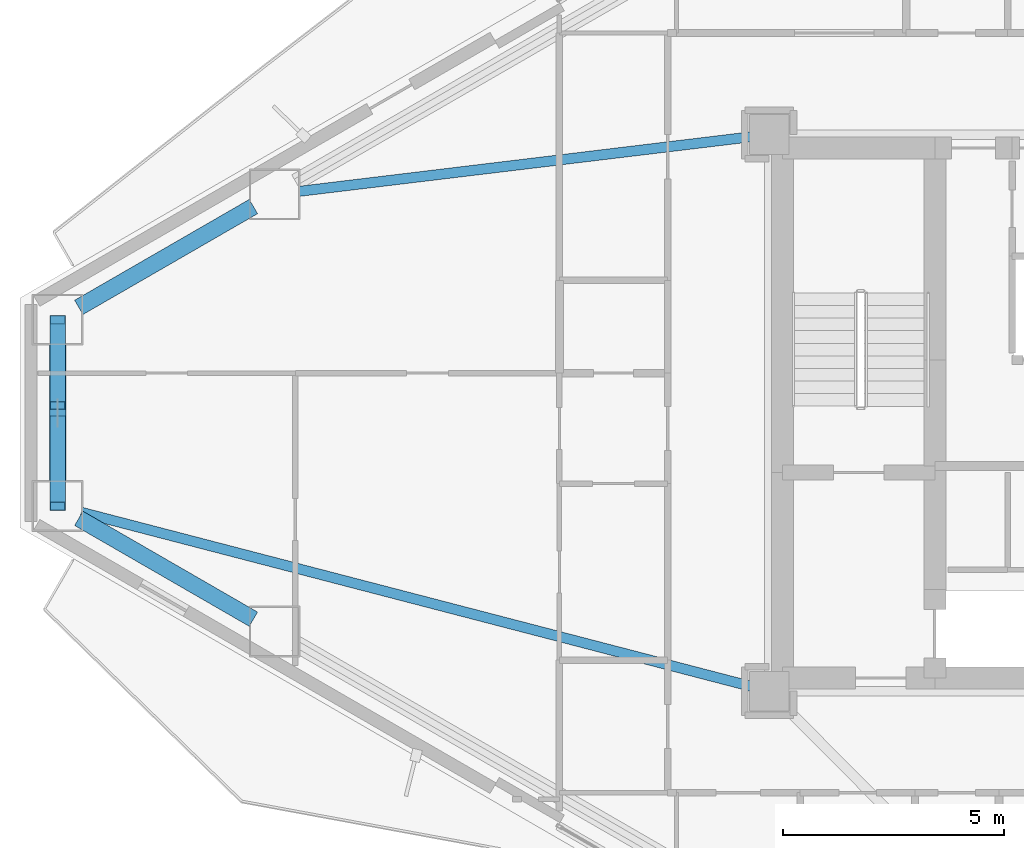
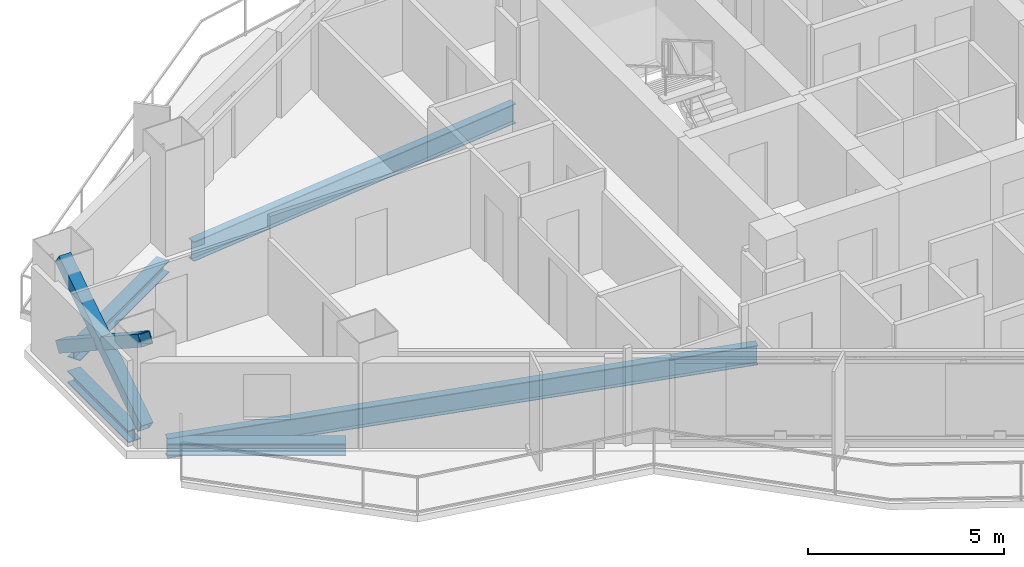
# One storey, part 5 of 23: 5 beams, 3 members.
"""IFC4 building model written with IfcOpenShell, lengths in metres."""

import ifcopenshell
import ifcopenshell.guid

model = None  # the IFC model being written
_history = None  # IfcOwnerHistory: only IFC2X3 demands one
_inside = {}  # id of a spatial element -> (the spatial element, [elements in it])
_under = {}  # id of a project, library or spatial element -> (it, [spatial elements below it])
_declared = {}  # id of a project -> (the project, [libraries it declares])
_typed = {}  # id of a type object -> (the type object, [elements of that type])
_made_of = {}  # id of a material, layer set ... -> (it, [elements and type objects made of it])


def new_model(schema):
    """Start an empty IFC model of exactly this schema.

    Asked for "IFC4X3", IfcOpenShell would pick the latest addendum, in which some entities
    have other attributes; the version numbers below select the first issue.
    IFC2X3 requires an IfcOwnerHistory on every rooted entity: one is made here for all.
    """
    global model, _history
    if schema == "IFC4X3":
        model = ifcopenshell.file(schema_version=(4, 3, 0, 0))
    else:
        model = ifcopenshell.file(schema=schema)
    _inside.clear()
    _under.clear()
    _declared.clear()
    _typed.clear()
    _made_of.clear()
    _history = None
    if model.schema == "IFC2X3":
        org = make("IfcOrganization", Name="unknown")
        user = make(
            "IfcPersonAndOrganization",
            ThePerson=make("IfcPerson", FamilyName="unknown"),
            TheOrganization=org,
        )
        app = make(
            "IfcApplication",
            ApplicationDeveloper=org,
            Version="unknown",
            ApplicationFullName="unknown",
            ApplicationIdentifier="unknown",
        )
        _history = make(
            "IfcOwnerHistory",
            OwningUser=user,
            OwningApplication=app,
            ChangeAction="ADDED",
            CreationDate=0,
        )
    return model


def make(cls, **values):
    """One entity of the class cls with the attributes given. An attribute that is None is left unset."""
    return model.create_entity(
        cls, **{name: value for name, value in values.items() if value is not None}
    )


def rooted(cls, **values):
    """An entity with a GlobalId (a new one), such as an element, a storey or a relation."""
    return make(cls, GlobalId=ifcopenshell.guid.new(), OwnerHistory=_history, **values)


def si_unit(unit_type, name, prefix=None):
    """IfcSIUnit, for example si_unit("LENGTHUNIT", "METRE", prefix="MILLI")."""
    return make("IfcSIUnit", UnitType=unit_type, Prefix=prefix, Name=name)


def assignment(units):
    """IfcUnitAssignment: the units of a project."""
    return None if units is None else make("IfcUnitAssignment", Units=units)


def point(xyz):
    """IfcCartesianPoint."""
    return None if xyz is None else make("IfcCartesianPoint", Coordinates=xyz)


def direction(xyz):
    """IfcDirection."""
    return None if xyz is None else make("IfcDirection", DirectionRatios=xyz)


def frame(location, z_axis=None, x_axis=None):
    """IfcAxis2Placement3D, a coordinate frame: its origin and axes. An axis left out is left unset."""
    return make(
        "IfcAxis2Placement3D",
        Location=point(location),
        Axis=direction(z_axis),
        RefDirection=direction(x_axis),
    )


def frame_2d(location, x_axis=None):
    """IfcAxis2Placement2D, a coordinate frame in the plane: its origin and x axis."""
    return make(
        "IfcAxis2Placement2D", Location=point(location), RefDirection=direction(x_axis)
    )


def origin():
    """The frame at (0, 0, 0) with its axes left unset."""
    return frame((0.0, 0.0, 0.0))


def origin_2d():
    """The frame at (0, 0) in the plane with its x axis left unset."""
    return frame_2d((0.0, 0.0))


def place(relative_to, where):
    """IfcLocalPlacement: puts the frame where relative to a parent placement (None: the world)."""
    return make(
        "IfcLocalPlacement", PlacementRelTo=relative_to, RelativePlacement=where
    )


def context(
    kind, dimensions, precision=None, world=None, true_north=None, identifier=None
):
    """IfcGeometricRepresentationContext, for example the 3D "Model" context."""
    return make(
        "IfcGeometricRepresentationContext",
        ContextIdentifier=identifier,
        ContextType=kind,
        CoordinateSpaceDimension=dimensions,
        Precision=precision,
        WorldCoordinateSystem=world,
        TrueNorth=true_north,
    )


def subcontext(parent, identifier, kind, view, scale=None):
    """IfcGeometricRepresentationSubContext, for example "Body" below "Model"."""
    return make(
        "IfcGeometricRepresentationSubContext",
        ContextIdentifier=identifier,
        ContextType=kind,
        ParentContext=parent,
        TargetScale=scale,
        TargetView=view,
    )


def project(units=None, contexts=None):
    """IfcProject with its units and contexts."""
    return rooted(
        "IfcProject",
        Name="project",
        RepresentationContexts=contexts,
        UnitsInContext=assignment(units),
    )


def spatial(cls, under=None, at=None, **own):
    """A site, building, storey or space (cls), placed at a placement, below another one or the project."""
    s = rooted(cls, ObjectPlacement=at, **own)
    if under is not None:
        _under.setdefault(under.id(), (under, []))[1].append(s)
    return s


def profile(cls, at=None, kind="AREA", **sizes):
    """A parametric profile (cls). Its sizes go by their IFC names, for example OverallWidth=200.0."""
    return make(cls, ProfileType=kind, Position=at, **sizes)


def hollow_rectangle(**sizes):
    """IfcRectangleHollowProfileDef."""
    return profile("IfcRectangleHollowProfileDef", **sizes)


def i_section(**sizes):
    """IfcIShapeProfileDef."""
    return profile("IfcIShapeProfileDef", **sizes)


def extrude(swept, where, along, depth):
    """IfcExtrudedAreaSolid: the profile swept, set in the frame where, extruded along a direction by depth."""
    return make(
        "IfcExtrudedAreaSolid",
        SweptArea=swept,
        Position=where,
        ExtrudedDirection=direction(along),
        Depth=depth,
    )


def shape(context_of_items, identifier, shape_type, items):
    """IfcShapeRepresentation: the items that make up one representation, for example the "Body"."""
    return make(
        "IfcShapeRepresentation",
        ContextOfItems=context_of_items,
        RepresentationIdentifier=identifier,
        RepresentationType=shape_type,
        Items=items,
    )


def material(Name=None, Category=None):
    """IfcMaterial."""
    return make("IfcMaterial", Name=Name, Category=Category)


def material_profile(
    of_material, cross_section, Name=None, Category=None, Priority=None
):
    """IfcMaterialProfile: a cross section and its material."""
    return make(
        "IfcMaterialProfile",
        Name=Name,
        Material=of_material,
        Profile=cross_section,
        Priority=Priority,
        Category=Category,
    )


def profile_set(profiles, Name=None, composite=None):
    """IfcMaterialProfileSet."""
    return make(
        "IfcMaterialProfileSet",
        Name=Name,
        MaterialProfiles=profiles,
        CompositeProfile=composite,
    )


def made_of(thing, what):
    """Note that an element or type object is made of a material, layer set ...; save() writes the relation."""
    if what is not None:
        _made_of.setdefault(what.id(), (what, []))[1].append(thing)
    return thing


def type_object(cls, material=None, **own):
    """A type object (cls), such as IfcWallType, which elements share."""
    return made_of(rooted(cls, **own), material)


def element(
    cls,
    number,
    at=None,
    inside=None,
    cuts=None,
    type_object=None,
    material=None,
    context=None,
    identifier="Body",
    shape_type=None,
    held_by="IfcProductDefinitionShape",
    body=None,
    shapes=None,
    **own,
):
    """One element of the class cls, such as IfcWall. Its Tag is "e" and its number.

    at: its placement. inside: the storey or other place that contains it. cuts: it is an
    opening in that element (IfcRelVoidsElement). A single representation is given by context,
    identifier, shape_type and body (its items); several are given by shapes. held_by: the class
    of the entity that holds the representations. save() writes the other relations.
    """
    e = rooted(cls, Tag="e%d" % number, ObjectPlacement=at, **own)
    if body is not None:
        shapes = [shape(context, identifier, shape_type, body)]
    if shapes is not None:
        e.Representation = make(held_by, Representations=shapes)
    if inside is not None:
        _inside.setdefault(inside.id(), (inside, []))[1].append(e)
    if cuts is not None:
        rooted(
            "IfcRelVoidsElement", RelatingBuildingElement=cuts, RelatedOpeningElement=e
        )
    if type_object is not None:
        _typed.setdefault(type_object.id(), (type_object, []))[1].append(e)
    return made_of(e, material)


def aggregate(whole, parts):
    """IfcRelAggregates: a whole, such as a stair, and the parts it consists of."""
    return rooted("IfcRelAggregates", RelatingObject=whole, RelatedObjects=parts)


def save(model, path):
    """Write the relations noted so far, then the file.

    IfcRelAggregates (storeys below a building ...), IfcRelContainedInSpatialStructure (elements
    in a storey), IfcRelDefinesByType, IfcRelAssociatesMaterial and IfcRelDeclares: one each for
    every whole, place, type object, material and project.
    """
    for whole, parts in _under.values():
        aggregate(whole, parts)
    for where, things in _inside.values():
        rooted(
            "IfcRelContainedInSpatialStructure",
            RelatedElements=things,
            RelatingStructure=where,
        )
    for kind, things in _typed.values():
        rooted("IfcRelDefinesByType", RelatedObjects=things, RelatingType=kind)
    for what, things in _made_of.values():
        rooted("IfcRelAssociatesMaterial", RelatedObjects=things, RelatingMaterial=what)
    for by, libraries in _declared.values():
        rooted("IfcRelDeclares", RelatingContext=by, RelatedDefinitions=libraries)
    model.write(path)


model = new_model("IFC4")

# Units and contexts
model_context = context("Model", 3, precision=1e-05, world=origin(), true_north=direction((0.0, 1.0)))
body_context = subcontext(model_context, "Body", "Model", "MODEL_VIEW")
ifc_project = project(units=[si_unit("LENGTHUNIT", "METRE"), si_unit("AREAUNIT", "SQUARE_METRE"), si_unit("VOLUMEUNIT", "CUBIC_METRE"), si_unit("PLANEANGLEUNIT", "RADIAN"), si_unit("MASSUNIT", "GRAM", prefix="KILO")], contexts=[model_context])

# Site, building, storey
site_placement = place(None, origin())
site = spatial("IfcSite", under=ifc_project, at=site_placement, CompositionType="ELEMENT")
building_placement = place(site_placement, origin())
building = spatial("IfcBuilding", under=site, at=building_placement, Name="Mersakhor Tower and Convention Hall", CompositionType="ELEMENT")
storey_placement = place(building_placement, frame((0.0, 0.0, 80.10009765625)))
storey = spatial("IfcBuildingStorey", under=building, at=storey_placement, Name="L21", CompositionType="ELEMENT", Elevation=80.10009765625)

# Beams
ifc_material_1 = material(Name="Steel S355", Category="steel")
ifc_material_profile_1 = material_profile(ifc_material_1, i_section(OverallWidth=0.22900390625, OverallDepth=0.6123046875, WebThickness=0.011962890625, FlangeThickness=0.01953125, at=origin_2d()), Name="UB 610x229x125")
ifc_profile_set_1 = profile_set([ifc_material_profile_1], Name="Steel S355")
beam_type_1 = type_object("IfcBeamType", Name="BM-PR-610", PredefinedType="BEAM", material=ifc_profile_set_1)
beam_1_placement = place(storey_placement, frame((21.47314453125, 32.99853515625, -0.55615234375), z_axis=(-0.992798628585, -0.119795171356, 0.0), x_axis=(0.119795171356, -0.992798628585, 0.0)))
element("IfcBeam", 1, at=beam_1_placement, inside=storey, type_object=beam_type_1, Name="L21 Primary Floor Girder FG-1", PredefinedType="BEAM", context=body_context, shape_type="SweptSolid", body=[
    extrude(i_section(OverallWidth=0.22900390625, OverallDepth=0.6123046875, WebThickness=0.011962890625, FlangeThickness=0.01953125, at=origin_2d()), origin(), (0.0, 0.0, 1.0), 10.2939453125),
])
beam_2_placement = place(storey_placement, frame((21.48388671875, 20.55810546875, -0.55615234375), z_axis=(-0.967826150614, 0.251619836632, 0.0), x_axis=(-0.251619836632, -0.967826150614, 0.0)))
element("IfcBeam", 2, at=beam_2_placement, inside=storey, type_object=beam_type_1, Name="L21 Primary Floor Girder FG-6", PredefinedType="BEAM", context=body_context, shape_type="SweptSolid", body=[
    extrude(i_section(OverallWidth=0.22900390625, OverallDepth=0.6123046875, WebThickness=0.011962890625, FlangeThickness=0.01953125, at=origin_2d()), origin(), (0.0, 0.0, 1.0), 15.6640625),
])
ifc_material_2 = material(Name="Steel S355", Category="steel")
ifc_material_profile_2 = material_profile(ifc_material_2, i_section(OverallWidth=0.374755859375, OverallDepth=0.37451171875, WebThickness=0.0166015625, FlangeThickness=0.027099609375, at=origin_2d()), Name="UC 356x368x202")
ifc_profile_set_2 = profile_set([ifc_material_profile_2], Name="Steel S355")
beam_type_2 = type_object("IfcBeamType", Name="BM-SPD-UC356", PredefinedType="SPANDREL", material=ifc_profile_set_2)
for number, where, z_axis, x_axis, name in (
    (3, (6.267333984375, 29.13818359375, -0.4375), (0.866023543838, 0.500003221507, 0.0), (-0.500003221507, 0.866023543838, 0.0), "L21 Perimeter Spandrel Beam SPB-01"),
    (4, (10.221923828125, 22.07861328125, -0.4375), (-0.866023543838, 0.500003221507, 0.0), (-0.500003221507, -0.866023543838, 0.0), "L21 Perimeter Spandrel Beam SPB-11"),
):
    element("IfcBeam", number, at=place(storey_placement, frame(where, z_axis=z_axis, x_axis=x_axis)), inside=storey, type_object=beam_type_2, Name=name, PredefinedType="SPANDREL", context=body_context, shape_type="SweptSolid", body=[
        extrude(i_section(OverallWidth=0.374755859375, OverallDepth=0.37451171875, WebThickness=0.0166015625, FlangeThickness=0.027099609375, at=origin_2d()), origin(), (0.0, 0.0, 1.0), 4.56640625),
    ])
beam_3_placement = place(storey_placement, frame((5.78662109375, 25.194091796875, -0.4375), z_axis=(0.0, 1.0, 0.0), x_axis=(-1.0, 0.0, 0.0)))
element("IfcBeam", 5, at=beam_3_placement, inside=storey, type_object=beam_type_2, Name="L21 Perimeter Spandrel Beam SPB-12", PredefinedType="SPANDREL", context=body_context, shape_type="SweptSolid", body=[
    extrude(i_section(OverallWidth=0.374755859375, OverallDepth=0.37451171875, WebThickness=0.0166015625, FlangeThickness=0.027099609375, at=origin_2d()), origin(), (0.0, 0.0, 1.0), 3.11181640625),
])

# Members
ifc_material_3 = material(Name="Steel S460", Category="steel")
ifc_material_profile_3 = material_profile(ifc_material_3, hollow_rectangle(XDim=0.35009765625, YDim=0.35009765625, WallThickness=0.02001953125, at=origin_2d()), Name="SHS 350x350x20")
ifc_profile_set_3 = profile_set([ifc_material_profile_3], Name="Steel S460")
member_type = type_object("IfcMemberType", Name="MB-BRC-SHS350", PredefinedType="BRACE", material=ifc_profile_set_3)
member_placement = place(storey_placement, frame((5.78662109375, 24.63916015625, 0.14990234375), z_axis=(0.0, 0.837907380789, 0.54581244143), x_axis=(-1.0, 0.0, 0.0)))
element("IfcMember", 6, at=member_placement, inside=storey, type_object=member_type, Name="L21 Chamfer Braced Frame Diagonal CB-3A", PredefinedType="BRACE", context=body_context, shape_type="SweptSolid", body=[
    extrude(hollow_rectangle(XDim=0.35009765625, YDim=0.35009765625, WallThickness=0.02001953125, at=origin_2d()), origin(), (0.0, 0.0, 1.0), 5.038330078125),
])
for number, where, z_axis, x_axis, name in (
    (7, (5.78662109375, 28.86083984375, 0.14990234375), (0.0, -0.837928690032, 0.545779727016), (1.0, 0.0, 0.0), "L21 Chamfer Braced Frame Diagonal CB-3B Lower Half"),
    (8, (5.78662109375, 26.5830078125, 1.6337890625), (0.0, -0.837928690032, 0.545779727016), (1.0, 0.0, 0.0), "L21 Chamfer Braced Frame Diagonal CB-3B Upper Half"),
):
    element("IfcMember", number, at=place(storey_placement, frame(where, z_axis=z_axis, x_axis=x_axis)), inside=storey, type_object=member_type, Name=name, PredefinedType="BRACE", context=body_context, shape_type="SweptSolid", body=[
        extrude(hollow_rectangle(XDim=0.35009765625, YDim=0.35009765625, WallThickness=0.02001953125, at=origin_2d()), origin(), (0.0, 0.0, 1.0), 2.31982421875),
    ])

save(model, "model.ifc")
